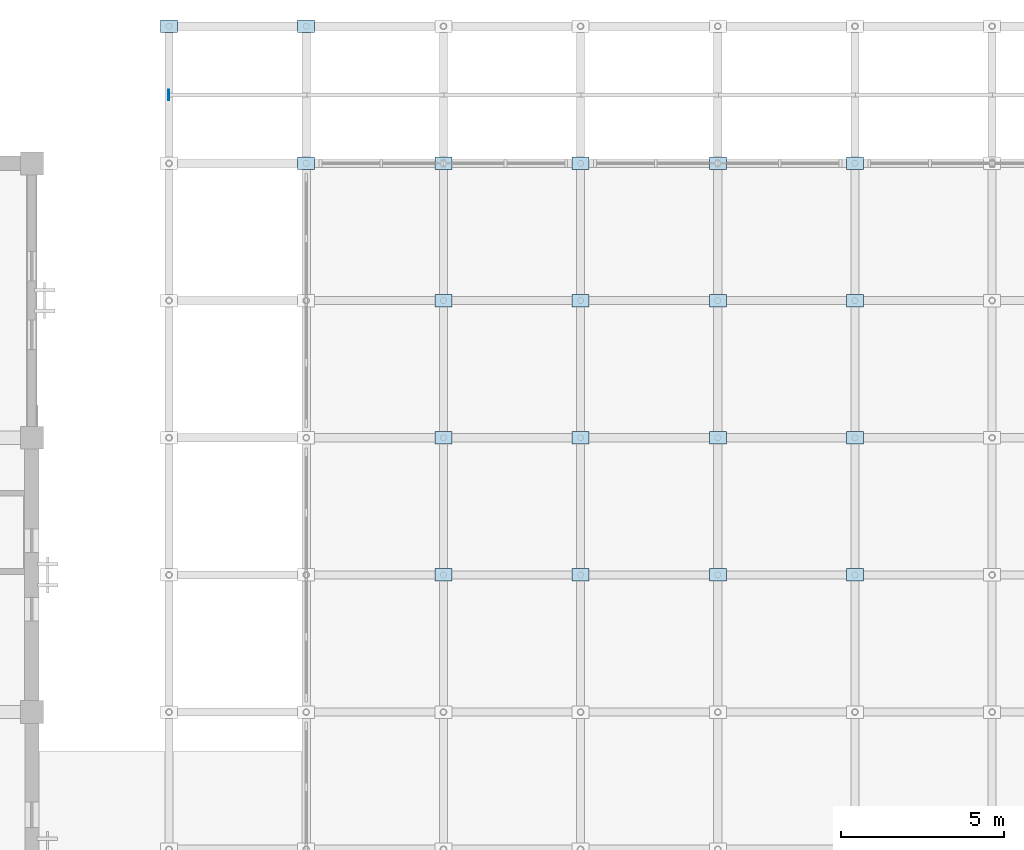
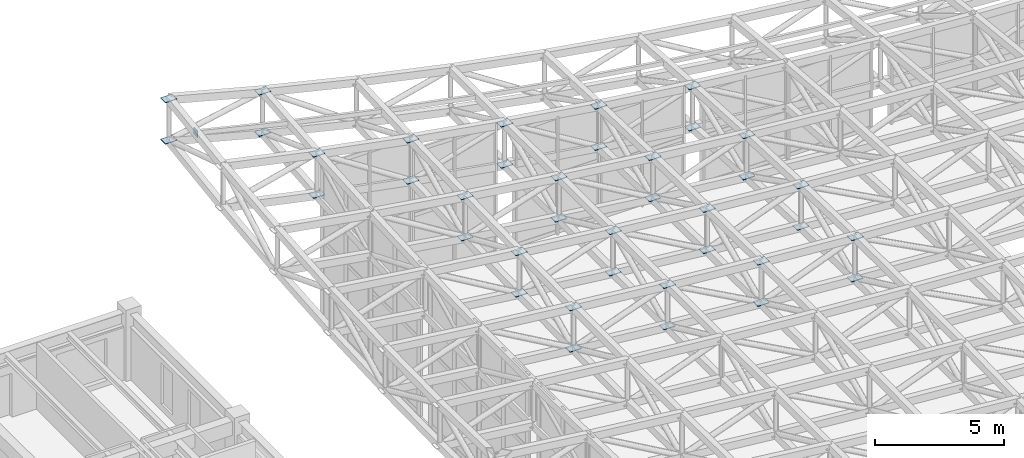
# One storey, part 78 of 111: 39 plates.
"""IFC4 building model written with IfcOpenShell, lengths in metres."""

from ifc_helpers import new_model, si_unit, direction, frame, origin, origin_2d, place, context, subcontext, project, spatial, rectangle, extrude, material, layer, layer_set, type_object, element, save


model = new_model("IFC4")

# Units and contexts
model_context = context("Model", 3, precision=1e-05, world=origin(), true_north=direction((0.0, 1.0)))
body_context = subcontext(model_context, "Body", "Model", "MODEL_VIEW")
ifc_project = project(units=[si_unit("LENGTHUNIT", "METRE"), si_unit("AREAUNIT", "SQUARE_METRE"), si_unit("VOLUMEUNIT", "CUBIC_METRE"), si_unit("PLANEANGLEUNIT", "RADIAN"), si_unit("MASSUNIT", "GRAM", prefix="KILO")], contexts=[model_context])

# Site, building, storey
site_placement = place(None, origin())
site = spatial("IfcSite", under=ifc_project, at=site_placement, CompositionType="ELEMENT")
building_placement = place(site_placement, origin())
building = spatial("IfcBuilding", under=site, at=building_placement, Name="Cumbredor Promenade Congress Hotel", CompositionType="ELEMENT")
storey_placement = place(building_placement, frame((0.0, 0.0, 15.1201171875)))
storey = spatial("IfcBuildingStorey", under=building, at=storey_placement, Name="L04", CompositionType="ELEMENT", Elevation=15.1201171875)

# Plates
ifc_material = material(Name="Steel ASTM A572 Grade 50", Category="steel")
ifc_layer_1 = layer(ifc_material, 0.030029296875, Name="Steel ASTM A572 Grade 50", Category="steel")
ifc_layer_set_1 = layer_set([ifc_layer_1], Name="Steel ASTM A572 Grade 50")
plate_type_1 = type_object("IfcPlateType", Name="Forum Truss Node Assembly ND-04", PredefinedType="USERDEFINED", material=ifc_layer_set_1)
for number, where, z_axis, x_axis, name in (
    (1, (88.199951171875, 121.800048828125, 9.0224609375), (0.0, 0.0, 1.0), (1.0, 0.0, 0.0), "Pre-Function and Breakout Meeting Forum Space Frame Top Node 1.11"),
    (2, (88.199951171875, 121.800048828125, 7.072265625), (0.0, 0.0, 1.0), (1.0, 0.0, 0.0), "Pre-Function and Breakout Meeting Forum Space Frame Bottom Node 1.11"),
    (3, (92.39990234375, 117.60009765625, 7.5244140625), (0.0, 0.0, 1.0), (1.0, 0.0, 0.0), "Pre-Function and Breakout Meeting Forum Space Frame Top Node 2.10"),
    (4, (92.39990234375, 117.60009765625, 5.57470703125), (0.0, 0.0, 1.0), (1.0, 0.0, 0.0), "Pre-Function and Breakout Meeting Forum Space Frame Bottom Node 2.10"),
    (5, (92.39990234375, 121.800048828125, 7.91162109375), (0.0, 0.0, 1.0), (1.0, 0.0, 0.0), "Pre-Function and Breakout Meeting Forum Space Frame Top Node 2.11"),
    (6, (92.39990234375, 121.800048828125, 5.96142578125), (0.0, 0.0, 1.0), (1.0, 0.0, 0.0), "Pre-Function and Breakout Meeting Forum Space Frame Bottom Node 2.11"),
    (7, (96.60009765625, 105.0, 6.4248046875), (0.0, 0.0, 1.0), (1.0, 0.0, 0.0), "Pre-Function and Breakout Meeting Forum Space Frame Top Node 3.7"),
    (8, (96.60009765625, 105.0, 4.474609375), (0.0, 0.0, 1.0), (1.0, 0.0, 0.0), "Pre-Function and Breakout Meeting Forum Space Frame Bottom Node 3.7"),
    (9, (96.60009765625, 109.199951171875, 6.48486328125), (0.0, 0.0, 1.0), (1.0, 0.0, 0.0), "Pre-Function and Breakout Meeting Forum Space Frame Top Node 3.8"),
    (10, (96.60009765625, 109.199951171875, 4.53466796875), (0.0, 0.0, 1.0), (1.0, 0.0, 0.0), "Pre-Function and Breakout Meeting Forum Space Frame Bottom Node 3.8"),
    (11, (96.60009765625, 113.39990234375, 6.5849609375), (0.0, 0.0, 1.0), (1.0, 0.0, 0.0), "Pre-Function and Breakout Meeting Forum Space Frame Top Node 3.9"),
    (12, (96.60009765625, 113.39990234375, 4.63525390625), (0.0, 0.0, 1.0), (1.0, 0.0, 0.0), "Pre-Function and Breakout Meeting Forum Space Frame Bottom Node 3.9"),
    (13, (96.60009765625, 117.60009765625, 6.72509765625), (0.0, 0.0, 1.0), (1.0, 0.0, 0.0), "Pre-Function and Breakout Meeting Forum Space Frame Top Node 3.10"),
    (14, (96.60009765625, 117.60009765625, 4.775390625), (0.0, 0.0, 1.0), (1.0, 0.0, 0.0), "Pre-Function and Breakout Meeting Forum Space Frame Bottom Node 3.10"),
    (15, (100.800048828125, 105.0, 6.01123046875), (0.0, 0.0, 1.0), (1.0, 0.0, 0.0), "Pre-Function and Breakout Meeting Forum Space Frame Top Node 4.7"),
    (16, (100.800048828125, 105.0, 4.0615234375), (0.0, 0.0, 1.0), (1.0, 0.0, 0.0), "Pre-Function and Breakout Meeting Forum Space Frame Bottom Node 4.7"),
    (17, (100.800048828125, 109.199951171875, 6.01123046875), (0.0, 0.0, 1.0), (1.0, 0.0, 0.0), "Pre-Function and Breakout Meeting Forum Space Frame Top Node 4.8"),
    (18, (100.800048828125, 109.199951171875, 4.06103515625), (0.0, 0.0, 1.0), (1.0, 0.0, 0.0), "Pre-Function and Breakout Meeting Forum Space Frame Bottom Node 4.8"),
    (19, (100.800048828125, 113.39990234375, 6.0107421875), (0.0, 0.0, 1.0), (1.0, 0.0, 0.0), "Pre-Function and Breakout Meeting Forum Space Frame Top Node 4.9"),
    (20, (100.800048828125, 113.39990234375, 4.060546875), (0.0, 0.0, 1.0), (1.0, 0.0, 0.0), "Pre-Function and Breakout Meeting Forum Space Frame Bottom Node 4.9"),
    (21, (100.800048828125, 117.60009765625, 6.009765625), (0.0, 0.0, 1.0), (1.0, 0.0, 0.0), "Pre-Function and Breakout Meeting Forum Space Frame Top Node 4.10"),
    (22, (100.800048828125, 117.60009765625, 4.0595703125), (0.0, 0.0, 1.0), (1.0, 0.0, 0.0), "Pre-Function and Breakout Meeting Forum Space Frame Bottom Node 4.10"),
    (23, (105.0, 105.0, 5.64697265625), (0.0, 0.0, 1.0), (1.0, 0.0, 0.0), "Pre-Function and Breakout Meeting Forum Space Frame Top Node 5.7"),
    (24, (105.0, 105.0, 3.69677734375), (0.0, 0.0, 1.0), (1.0, 0.0, 0.0), "Pre-Function and Breakout Meeting Forum Space Frame Bottom Node 5.7"),
    (25, (105.0, 109.199951171875, 5.59326171875), (0.0, 0.0, 1.0), (1.0, 0.0, 0.0), "Pre-Function and Breakout Meeting Forum Space Frame Top Node 5.8"),
    (26, (105.0, 109.199951171875, 3.64306640625), (0.0, 0.0, 1.0), (1.0, 0.0, 0.0), "Pre-Function and Breakout Meeting Forum Space Frame Bottom Node 5.8"),
    (27, (105.0, 113.39990234375, 5.50390625), (0.0, 0.0, 1.0), (1.0, 0.0, 0.0), "Pre-Function and Breakout Meeting Forum Space Frame Top Node 5.9"),
    (28, (105.0, 113.39990234375, 3.5537109375), (0.0, 0.0, 1.0), (1.0, 0.0, 0.0), "Pre-Function and Breakout Meeting Forum Space Frame Bottom Node 5.9"),
    (29, (105.0, 117.60009765625, 5.3779296875), (0.0, 0.0, 1.0), (1.0, 0.0, 0.0), "Pre-Function and Breakout Meeting Forum Space Frame Top Node 5.10"),
    (30, (105.0, 117.60009765625, 3.42822265625), (0.0, 0.0, 1.0), (1.0, 0.0, 0.0), "Pre-Function and Breakout Meeting Forum Space Frame Bottom Node 5.10"),
    (31, (109.199951171875, 105.0, 5.33056640625), (0.0, 0.0, 1.0), (1.0, 0.0, 0.0), "Pre-Function and Breakout Meeting Forum Space Frame Top Node 6.7"),
    (32, (109.199951171875, 105.0, 3.380859375), (0.0, 0.0, 1.0), (1.0, 0.0, 0.0), "Pre-Function and Breakout Meeting Forum Space Frame Bottom Node 6.7"),
    (33, (109.199951171875, 109.199951171875, 5.23046875), (0.0, 0.0, 1.0), (1.0, 0.0, 0.0), "Pre-Function and Breakout Meeting Forum Space Frame Top Node 6.8"),
    (34, (109.199951171875, 109.199951171875, 3.28076171875), (0.0, 0.0, 1.0), (1.0, 0.0, 0.0), "Pre-Function and Breakout Meeting Forum Space Frame Bottom Node 6.8"),
    (35, (109.199951171875, 113.39990234375, 5.06396484375), (0.0, 0.0, 1.0), (1.0, 0.0, 0.0), "Pre-Function and Breakout Meeting Forum Space Frame Top Node 6.9"),
    (36, (109.199951171875, 113.39990234375, 3.11376953125), (0.0, 0.0, 1.0), (1.0, 0.0, 0.0), "Pre-Function and Breakout Meeting Forum Space Frame Bottom Node 6.9"),
    (37, (109.199951171875, 117.60009765625, 4.83056640625), (0.0, 0.0, 1.0), (1.0, 0.0, 0.0), "Pre-Function and Breakout Meeting Forum Space Frame Top Node 6.10"),
    (38, (109.199951171875, 117.60009765625, 2.88037109375), (0.0, 0.0, 1.0), (1.0, 0.0, 0.0), "Pre-Function and Breakout Meeting Forum Space Frame Bottom Node 6.10"),
):
    element("IfcPlate", number, at=place(storey_placement, frame(where, z_axis=z_axis, x_axis=x_axis)), inside=storey, type_object=plate_type_1, Name=name, ObjectType="GUSSET PLATE", PredefinedType="USERDEFINED", context=body_context, shape_type="SweptSolid", body=[
        extrude(rectangle(XDim=0.52001953125, YDim=0.3798828125, at=origin_2d()), origin(), (0.0, 0.0, 1.0), 0.030029296875),
    ])
ifc_layer_2 = layer(ifc_material, 0.02001953125, Name="Steel ASTM A572 Grade 50", Category="steel")
ifc_layer_set_2 = layer_set([ifc_layer_2], Name="Steel ASTM A572 Grade 50")
plate_type_2 = type_object("IfcPlateType", Name="Hollow Section End Cap Plate CP-05", PredefinedType="USERDEFINED", material=ifc_layer_set_2)
plate_placement = place(storey_placement, frame((88.192138671875, 119.699951171875, 8.5537109375), z_axis=(0.0, 0.0, 1.0), x_axis=(1.0, 0.0, 0.0)))
element("IfcPlate", 39, at=plate_placement, inside=storey, type_object=plate_type_2, Name="Pre-Function and Breakout Meeting Forum Roof Eave Purlin 1.10 Start Cap Plate", ObjectType="CAP PLATE", PredefinedType="USERDEFINED", context=body_context, shape_type="SweptSolid", body=[
    extrude(rectangle(XDim=0.02001953125, YDim=0.320068359375, at=origin_2d()), origin(), (0.0, 0.0, 1.0), 0.320068359375),
])

save(model, "model.ifc")
